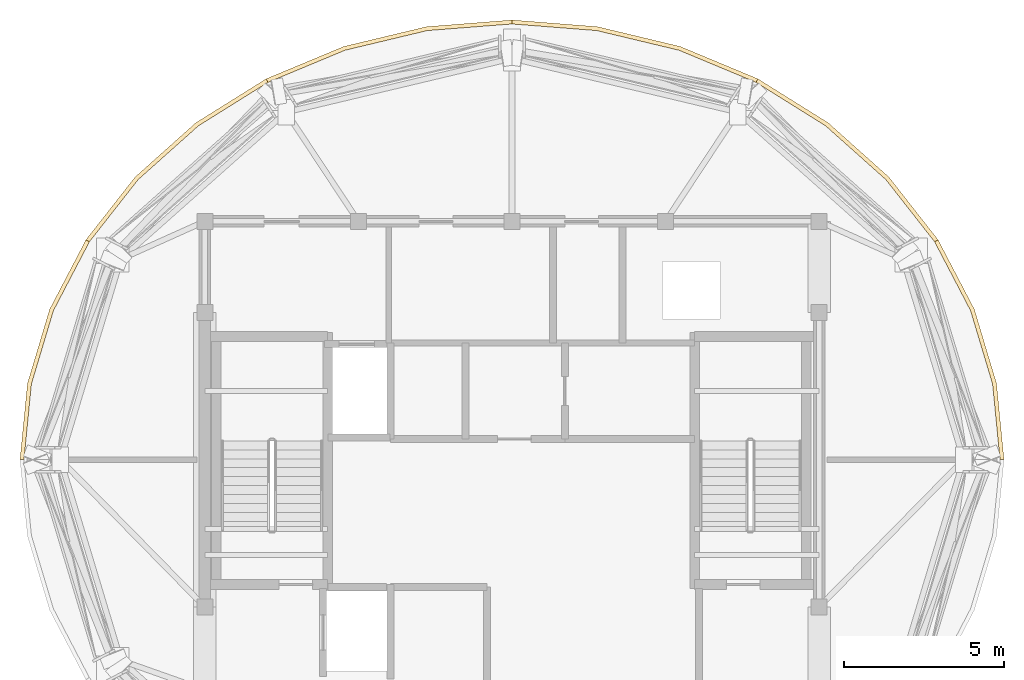
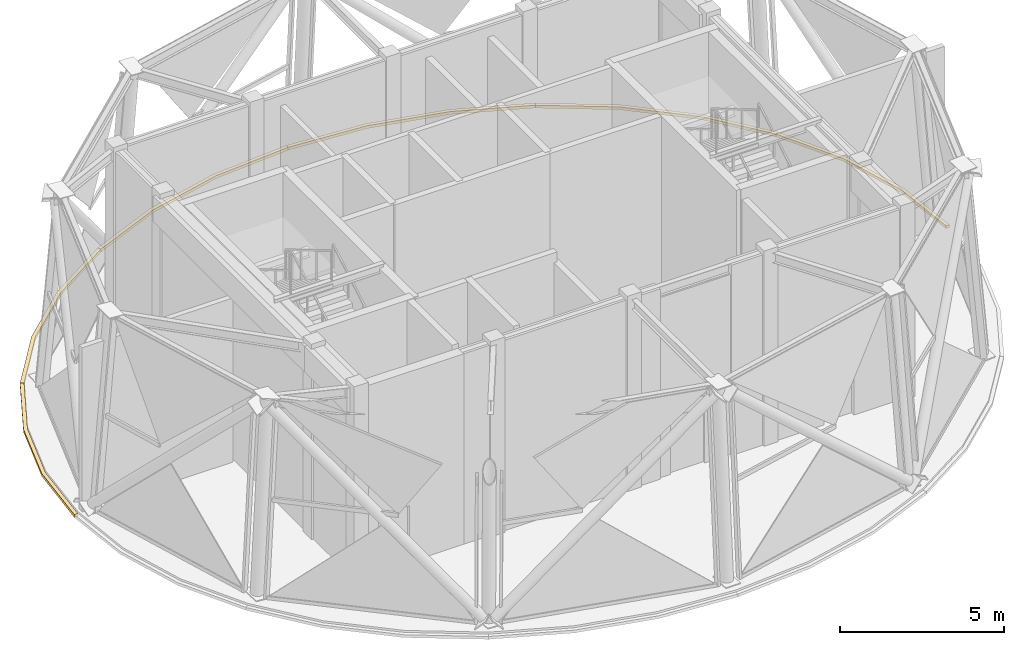
# One storey, part 8 of 8: 6 coverings.
"""IFC4 building model written with IfcOpenShell, lengths in metres."""

from ifc_helpers import new_model, si_unit, direction, frame, origin, place, context, subcontext, project, spatial, polyline, outline, extrude, material, layer, layer_set, type_object, element, save


model = new_model("IFC4")

# Units and contexts
model_context = context("Model", 3, precision=1e-05, world=origin(), true_north=direction((0.0, 1.0)))
body_context = subcontext(model_context, "Body", "Model", "MODEL_VIEW")
ifc_project = project(units=[si_unit("LENGTHUNIT", "METRE"), si_unit("AREAUNIT", "SQUARE_METRE"), si_unit("VOLUMEUNIT", "CUBIC_METRE"), si_unit("PLANEANGLEUNIT", "RADIAN"), si_unit("MASSUNIT", "GRAM", prefix="KILO")], contexts=[model_context])

# Site, building, storey
site_placement = place(None, origin())
site = spatial("IfcSite", under=ifc_project, at=site_placement, CompositionType="ELEMENT")
building_placement = place(site_placement, origin())
building = spatial("IfcBuilding", under=site, at=building_placement, Name="Vantalir Tower", CompositionType="ELEMENT")
storey_placement = place(building_placement, frame((0.0, 0.0, 333.5)))
storey = spatial("IfcBuildingStorey", under=building, at=storey_placement, Name="L80", CompositionType="ELEMENT", Elevation=333.5)

# Coverings
ifc_material = material(Name="Anodised champagne aluminium sill fascia", Category="aluminium")
ifc_layer = layer(ifc_material, 0.125)
ifc_layer_set = layer_set([ifc_layer], Name="Anodised champagne aluminium sill fascia")
covering_type = type_object("IfcCoveringType", Name="COV-SLAB-FASCIA-125", PredefinedType="CLADDING", material=ifc_layer_set)
covering_1_placement = place(storey_placement, frame((0.0, 0.0, -0.179931640625)))
element("IfcCovering", 1, at=covering_1_placement, inside=storey, type_object=covering_type, Name="L80 Perimeter Slab-Edge Sill Fascia 01", PredefinedType="CLADDING", context=body_context, shape_type="SweptSolid", body=[
    extrude(outline(polyline([(46.8759765625, 25.0), (46.64208984375, 27.385986328125), (45.948974609375, 29.699951171875), (44.81591796875, 31.87109375), (44.7080078125, 31.80810546875), (45.8310546875, 29.656982421875), (46.51904296875, 27.364990234375), (46.7509765625, 25.0), (46.8759765625, 25.0)])), origin(), (0.0, 0.0, 1.0), 0.10498046875),
])
covering_2_placement = place(storey_placement, frame((0.0, 0.0, -0.179931640625)))
element("IfcCovering", 2, at=covering_2_placement, inside=storey, type_object=covering_type, Name="L80 Perimeter Slab-Edge Sill Fascia 02", PredefinedType="CLADDING", context=body_context, shape_type="SweptSolid", body=[
    extrude(outline(polyline([(44.81591796875, 31.87109375), (43.279052734375, 33.8330078125), (41.384033203125, 35.527099609375), (39.18798828125, 36.90087890625), (39.1259765625, 36.79296875), (41.302978515625, 35.430908203125), (43.18310546875, 33.7529296875), (44.7080078125, 31.80810546875), (44.81591796875, 31.87109375)])), origin(), (0.0, 0.0, 1.0), 0.10498046875),
])
covering_3_placement = place(storey_placement, frame((0.0, 0.0, -0.179931640625)))
element("IfcCovering", 3, at=covering_3_placement, inside=storey, type_object=covering_type, Name="L80 Perimeter Slab-Edge Sill Fascia 03", PredefinedType="CLADDING", context=body_context, shape_type="SweptSolid", body=[
    extrude(outline(polyline([(39.18798828125, 36.90087890625), (36.759033203125, 37.9130859375), (34.169921875, 38.532958984375), (31.5, 38.741943359375), (31.5, 38.616943359375), (34.14794921875, 38.409912109375), (36.716064453125, 37.7958984375), (39.1259765625, 36.79296875), (39.18798828125, 36.90087890625)])), origin(), (0.0, 0.0, 1.0), 0.10498046875),
])
covering_4_placement = place(storey_placement, frame((0.0, 0.0, -0.179931640625)))
element("IfcCovering", 4, at=covering_4_placement, inside=storey, type_object=covering_type, Name="L80 Perimeter Slab-Edge Sill Fascia 04", PredefinedType="CLADDING", context=body_context, shape_type="SweptSolid", body=[
    extrude(outline(polyline([(31.5, 38.741943359375), (28.830078125, 38.532958984375), (26.240966796875, 37.9130859375), (23.81201171875, 36.90087890625), (23.875, 36.79296875), (26.283935546875, 37.7958984375), (28.85205078125, 38.409912109375), (31.5, 38.616943359375), (31.5, 38.741943359375)])), origin(), (0.0, 0.0, 1.0), 0.10498046875),
])
covering_5_placement = place(storey_placement, frame((0.0, 0.0, -0.179931640625)))
element("IfcCovering", 5, at=covering_5_placement, inside=storey, type_object=covering_type, Name="L80 Perimeter Slab-Edge Sill Fascia 05", PredefinedType="CLADDING", context=body_context, shape_type="SweptSolid", body=[
    extrude(outline(polyline([(23.81201171875, 36.90087890625), (21.615966796875, 35.527099609375), (19.720947265625, 33.8330078125), (18.18408203125, 31.87109375), (18.2919921875, 31.80810546875), (19.81689453125, 33.7529296875), (21.697021484375, 35.430908203125), (23.875, 36.79296875), (23.81201171875, 36.90087890625)])), origin(), (0.0, 0.0, 1.0), 0.10498046875),
])
covering_6_placement = place(storey_placement, frame((0.0, 0.0, -0.179931640625)))
element("IfcCovering", 6, at=covering_6_placement, inside=storey, type_object=covering_type, Name="L80 Perimeter Slab-Edge Sill Fascia 06", PredefinedType="CLADDING", context=body_context, shape_type="SweptSolid", body=[
    extrude(outline(polyline([(18.18408203125, 31.87109375), (17.051025390625, 29.699951171875), (16.35791015625, 27.385986328125), (16.1240234375, 25.0), (16.2490234375, 25.0), (16.48095703125, 27.364990234375), (17.1689453125, 29.656982421875), (18.2919921875, 31.80810546875), (18.18408203125, 31.87109375)])), origin(), (0.0, 0.0, 1.0), 0.10498046875),
])

save(model, "model.ifc")
